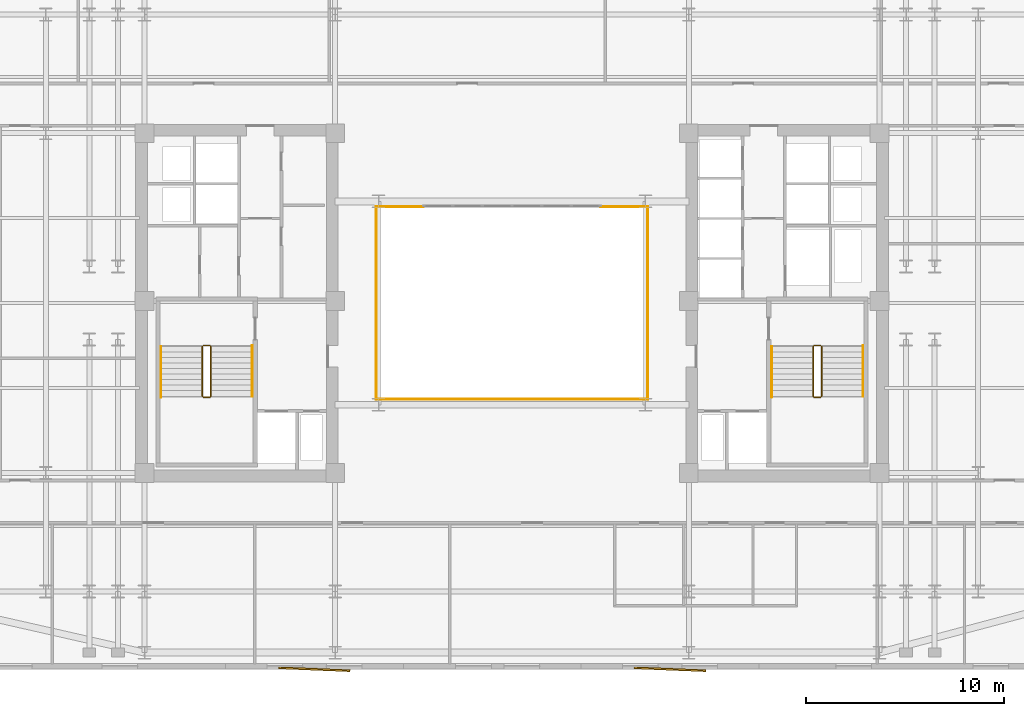
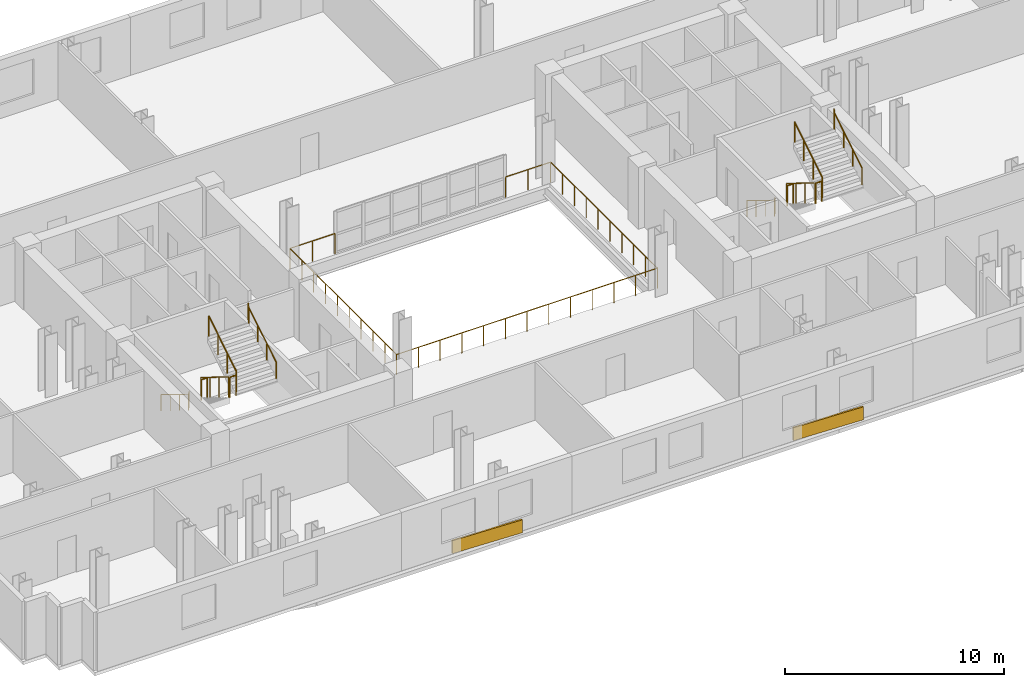
# One storey, part 11 of 12: 17 railings, 2 coverings.
"""IFC4 building model written with IfcOpenShell, lengths in metres."""

from ifc_helpers import new_model, si_unit, direction, frame, origin, origin_2d, place, context, subcontext, project, spatial, rectangle, circle, extrude, material, layer, layer_set, type_object, element, save


model = new_model("IFC4")

# Units and contexts
model_context = context("Model", 3, precision=1e-05, world=origin(), true_north=direction((0.0, 1.0)))
body_context = subcontext(model_context, "Body", "Model", "MODEL_VIEW")
ifc_project = project(units=[si_unit("LENGTHUNIT", "METRE"), si_unit("AREAUNIT", "SQUARE_METRE"), si_unit("VOLUMEUNIT", "CUBIC_METRE"), si_unit("PLANEANGLEUNIT", "RADIAN"), si_unit("MASSUNIT", "GRAM", prefix="KILO")], contexts=[model_context])

# Site, building, storey
site_placement = place(None, origin())
site = spatial("IfcSite", under=ifc_project, at=site_placement, CompositionType="ELEMENT")
building_placement = place(site_placement, origin())
building = spatial("IfcBuilding", under=site, at=building_placement, Name="Velakula Bourse", CompositionType="ELEMENT")
storey_placement = place(building_placement, frame((0.0, 0.0, 134.64990234375)))
storey = spatial("IfcBuildingStorey", under=building, at=storey_placement, Name="L36", CompositionType="ELEMENT", Elevation=134.64990234375)

# Coverings
ifc_material_1 = material(Name="Red kilned clay facing brick masonry", Category="masonry")
ifc_layer = layer(ifc_material_1, 0.090087890625, Name="Red kilned clay facing brick masonry", Category="masonry")
ifc_layer_set = layer_set([ifc_layer], Name="Red kilned clay facing brick masonry")
covering_type = type_object("IfcCoveringType", Name="COV-BRK-FOLD-90", PredefinedType="CLADDING", material=ifc_layer_set)
for number, where, z_axis, x_axis, name in (
    (1, (-10.0, -18.5400390625, 0.0), (0.0, 0.0, 1.0), (0.999158993058, -0.041003738744, 0.0), "L36 Folded Brick Facade Cladding Panel S-B2"),
    (2, (8.0, -18.5400390625, 0.0), (0.0, 0.0, 1.0), (0.999158993058, -0.041003738744, 0.0), "L36 Folded Brick Facade Cladding Panel S-B4"),
):
    element("IfcCovering", number, at=place(storey_placement, frame(where, z_axis=z_axis, x_axis=x_axis)), inside=storey, type_object=covering_type, Name=name, PredefinedType="CLADDING", context=body_context, shape_type="SweptSolid", body=[
        extrude(rectangle(XDim=3.60009765625, YDim=0.090087890625, at=origin_2d()), origin(), (0.0, 0.0, 1.0), 0.719970703125),
    ])

# Railings
ifc_material_2 = material(Name="Brushed grade 316 stainless steel", Category="steel")
railing_type_1 = type_object("IfcRailingType", Name="RLG-ATRIUM-1150", PredefinedType="BALUSTRADE", material=ifc_material_2)
railing_1_placement = place(storey_placement, frame((-6.8798828125, -4.8798828125, 0.0)))
element("IfcRailing", 3, at=railing_1_placement, inside=storey, type_object=railing_type_1, Name="L36 Central Trading Atrium Balustrade S", PredefinedType="BALUSTRADE", context=body_context, shape_type="SweptSolid", body=[
    extrude(circle(Radius=0.02392578125, at=origin_2d()), frame((0.0, 0.0, 1.1259765625), z_axis=(1.0, 0.0, 0.0), x_axis=(0.0, 1.0, 0.0)), (0.0, 0.0, 1.0), 13.759765625),
    extrude(circle(Radius=0.02099609375, at=origin_2d()), origin(), (0.0, 0.0, 1.0), 1.101806640625),
    extrude(circle(Radius=0.02099609375, at=origin_2d()), frame((1.146728515625, 0.0, 0.0)), (0.0, 0.0, 1.0), 1.101806640625),
    extrude(circle(Radius=0.02099609375, at=origin_2d()), frame((2.293212890625, 0.0, 0.0)), (0.0, 0.0, 1.0), 1.101806640625),
    extrude(circle(Radius=0.02099609375, at=origin_2d()), frame((3.43994140625, 0.0, 0.0)), (0.0, 0.0, 1.0), 1.101806640625),
    extrude(circle(Radius=0.02099609375, at=origin_2d()), frame((4.586669921875, 0.0, 0.0)), (0.0, 0.0, 1.0), 1.101806640625),
    extrude(circle(Radius=0.02099609375, at=origin_2d()), frame((5.733154296875, 0.0, 0.0)), (0.0, 0.0, 1.0), 1.101806640625),
    extrude(circle(Radius=0.02099609375, at=origin_2d()), frame((6.8798828125, 0.0, 0.0)), (0.0, 0.0, 1.0), 1.101806640625),
    extrude(circle(Radius=0.02099609375, at=origin_2d()), frame((8.026611328125, 0.0, 0.0)), (0.0, 0.0, 1.0), 1.101806640625),
    extrude(circle(Radius=0.02099609375, at=origin_2d()), frame((9.173095703125, 0.0, 0.0)), (0.0, 0.0, 1.0), 1.101806640625),
    extrude(circle(Radius=0.02099609375, at=origin_2d()), frame((10.31982421875, 0.0, 0.0)), (0.0, 0.0, 1.0), 1.101806640625),
    extrude(circle(Radius=0.02099609375, at=origin_2d()), frame((11.466552734375, 0.0, 0.0)), (0.0, 0.0, 1.0), 1.101806640625),
    extrude(circle(Radius=0.02099609375, at=origin_2d()), frame((12.613037109375, 0.0, 0.0)), (0.0, 0.0, 1.0), 1.101806640625),
    extrude(circle(Radius=0.02099609375, at=origin_2d()), frame((13.759765625, 0.0, 0.0)), (0.0, 0.0, 1.0), 1.101806640625),
])
railing_2_placement = place(storey_placement, frame((-6.8798828125, 4.8798828125, 0.0)))
element("IfcRailing", 4, at=railing_2_placement, inside=storey, type_object=railing_type_1, Name="L36 Central Trading Atrium Balustrade W", PredefinedType="BALUSTRADE", context=body_context, shape_type="SweptSolid", body=[
    extrude(circle(Radius=0.02392578125, at=origin_2d()), frame((0.0, 0.0, 1.1259765625), z_axis=(0.0, -1.0, 0.0), x_axis=(1.0, 0.0, 0.0)), (0.0, 0.0, 1.0), 9.759765625),
    extrude(circle(Radius=0.02099609375, at=origin_2d()), origin(), (0.0, 0.0, 1.0), 1.101806640625),
    extrude(circle(Radius=0.02099609375, at=origin_2d()), frame((0.0, -1.08447265625, 0.0)), (0.0, 0.0, 1.0), 1.101806640625),
    extrude(circle(Radius=0.02099609375, at=origin_2d()), frame((0.0, -2.1689453125, 0.0)), (0.0, 0.0, 1.0), 1.101806640625),
    extrude(circle(Radius=0.02099609375, at=origin_2d()), frame((0.0, -3.253173828125, 0.0)), (0.0, 0.0, 1.0), 1.101806640625),
    extrude(circle(Radius=0.02099609375, at=origin_2d()), frame((0.0, -4.337646484375, 0.0)), (0.0, 0.0, 1.0), 1.101806640625),
    extrude(circle(Radius=0.02099609375, at=origin_2d()), frame((0.0, -5.422119140625, 0.0)), (0.0, 0.0, 1.0), 1.101806640625),
    extrude(circle(Radius=0.02099609375, at=origin_2d()), frame((0.0, -6.506591796875, 0.0)), (0.0, 0.0, 1.0), 1.101806640625),
    extrude(circle(Radius=0.02099609375, at=origin_2d()), frame((0.0, -7.5908203125, 0.0)), (0.0, 0.0, 1.0), 1.101806640625),
    extrude(circle(Radius=0.02099609375, at=origin_2d()), frame((0.0, -8.67529296875, 0.0)), (0.0, 0.0, 1.0), 1.101806640625),
    extrude(circle(Radius=0.02099609375, at=origin_2d()), frame((0.0, -9.759765625, 0.0)), (0.0, 0.0, 1.0), 1.101806640625),
])
railing_3_placement = place(storey_placement, frame((6.8798828125, -4.8798828125, 0.0)))
element("IfcRailing", 5, at=railing_3_placement, inside=storey, type_object=railing_type_1, Name="L36 Central Trading Atrium Balustrade E", PredefinedType="BALUSTRADE", context=body_context, shape_type="SweptSolid", body=[
    extrude(circle(Radius=0.02392578125, at=origin_2d()), frame((0.0, 0.0, 1.1259765625), z_axis=(0.0, 1.0, 0.0), x_axis=(-1.0, 0.0, 0.0)), (0.0, 0.0, 1.0), 9.759765625),
    extrude(circle(Radius=0.02099609375, at=origin_2d()), origin(), (0.0, 0.0, 1.0), 1.101806640625),
    extrude(circle(Radius=0.02099609375, at=origin_2d()), frame((0.0, 1.08447265625, 0.0)), (0.0, 0.0, 1.0), 1.101806640625),
    extrude(circle(Radius=0.02099609375, at=origin_2d()), frame((0.0, 2.1689453125, 0.0)), (0.0, 0.0, 1.0), 1.101806640625),
    extrude(circle(Radius=0.02099609375, at=origin_2d()), frame((0.0, 3.253173828125, 0.0)), (0.0, 0.0, 1.0), 1.101806640625),
    extrude(circle(Radius=0.02099609375, at=origin_2d()), frame((0.0, 4.337646484375, 0.0)), (0.0, 0.0, 1.0), 1.101806640625),
    extrude(circle(Radius=0.02099609375, at=origin_2d()), frame((0.0, 5.422119140625, 0.0)), (0.0, 0.0, 1.0), 1.101806640625),
    extrude(circle(Radius=0.02099609375, at=origin_2d()), frame((0.0, 6.506591796875, 0.0)), (0.0, 0.0, 1.0), 1.101806640625),
    extrude(circle(Radius=0.02099609375, at=origin_2d()), frame((0.0, 7.5908203125, 0.0)), (0.0, 0.0, 1.0), 1.101806640625),
    extrude(circle(Radius=0.02099609375, at=origin_2d()), frame((0.0, 8.67529296875, 0.0)), (0.0, 0.0, 1.0), 1.101806640625),
    extrude(circle(Radius=0.02099609375, at=origin_2d()), frame((0.0, 9.759765625, 0.0)), (0.0, 0.0, 1.0), 1.101806640625),
])
for number, where, name in (
    (6, (-4.5, 4.8798828125, 0.0), "L36 Central Trading Atrium Balustrade NW"),
    (7, (6.8798828125, 4.8798828125, 0.0), "L36 Central Trading Atrium Balustrade NE"),
):
    element("IfcRailing", number, at=place(storey_placement, frame(where)), inside=storey, type_object=railing_type_1, Name=name, PredefinedType="BALUSTRADE", context=body_context, shape_type="SweptSolid", body=[
        extrude(circle(Radius=0.02392578125, at=origin_2d()), frame((0.0, 0.0, 1.1259765625), z_axis=(-1.0, 0.0, 0.0), x_axis=(0.0, -1.0, 0.0)), (0.0, 0.0, 1.0), 2.3798828125),
        extrude(circle(Radius=0.02099609375, at=origin_2d()), origin(), (0.0, 0.0, 1.0), 1.101806640625),
        extrude(circle(Radius=0.02099609375, at=origin_2d()), frame((-1.18994140625, 0.0, 0.0)), (0.0, 0.0, 1.0), 1.101806640625),
        extrude(circle(Radius=0.02099609375, at=origin_2d()), frame((-2.3798828125, 0.0, 0.0)), (0.0, 0.0, 1.0), 1.101806640625),
    ])
railing_type_2 = type_object("IfcRailingType", Name="RLG-STAIR-GUARD-1150", PredefinedType="BALUSTRADE", material=ifc_material_2)
railing_4_placement = place(storey_placement, frame((-15.672119140625, -2.199951171875, 0.172607421875)))
element("IfcRailing", 8, at=railing_4_placement, inside=storey, type_object=railing_type_2, Name="L36 ST-W1 stair guard 1", PredefinedType="BALUSTRADE", context=body_context, shape_type="SweptSolid", body=[
    extrude(circle(Radius=0.02490234375, at=origin_2d()), frame((0.0, 0.0, 1.125), z_axis=(0.0, -0.851400495292, 0.524516154772), x_axis=(1.0, 0.0, 0.0)), (0.0, 0.0, 1.0), 2.9599609375),
    extrude(circle(Radius=0.02099609375, at=origin_2d()), origin(), (0.0, 0.0, 1.0), 1.099853515625),
    extrude(circle(Radius=0.02099609375, at=origin_2d()), frame((0.0, -0.840087890625, 0.517578125)), (0.0, 0.0, 1.0), 1.099853515625),
    extrude(circle(Radius=0.02099609375, at=origin_2d()), frame((0.0, -1.679931640625, 1.034912109375)), (0.0, 0.0, 1.0), 1.099853515625),
    extrude(circle(Radius=0.02099609375, at=origin_2d()), frame((0.0, -2.52001953125, 1.552490234375)), (0.0, 0.0, 1.0), 1.099853515625),
])
railing_5_placement = place(storey_placement, frame((-15.6220703125, -4.77001953125, 1.72509765625)))
element("IfcRailing", 9, at=railing_5_placement, inside=storey, type_object=railing_type_2, Name="L36 ST-W1 stair guard 2", PredefinedType="BALUSTRADE", context=body_context, shape_type="SweptSolid", body=[
    extrude(circle(Radius=0.02490234375, at=origin_2d()), frame((0.0, 0.0, 1.125), z_axis=(1.0, 0.0, 0.0), x_axis=(0.0, 1.0, 0.0)), (0.0, 0.0, 1.0), 0.323974609375),
    extrude(circle(Radius=0.02099609375, at=origin_2d()), origin(), (0.0, 0.0, 1.0), 1.099853515625),
    extrude(circle(Radius=0.02099609375, at=origin_2d()), frame((0.323974609375, 0.0, 0.0)), (0.0, 0.0, 1.0), 1.099853515625),
])
railing_6_placement = place(storey_placement, frame((-15.248046875, -4.719970703125, 1.897705078125)))
element("IfcRailing", 10, at=railing_6_placement, inside=storey, type_object=railing_type_2, Name="L36 ST-W1 stair guard 3", PredefinedType="BALUSTRADE", context=body_context, shape_type="SweptSolid", body=[
    extrude(circle(Radius=0.02490234375, at=origin_2d()), frame((0.0, 0.0, 1.125), z_axis=(0.0, 0.851400495292, 0.524516154772), x_axis=(-1.0, 0.0, 0.0)), (0.0, 0.0, 1.0), 2.9599609375),
    extrude(circle(Radius=0.02099609375, at=origin_2d()), origin(), (0.0, 0.0, 1.0), 1.099853515625),
    extrude(circle(Radius=0.02099609375, at=origin_2d()), frame((0.0, 0.840087890625, 0.517578125)), (0.0, 0.0, 1.0), 1.099853515625),
    extrude(circle(Radius=0.02099609375, at=origin_2d()), frame((0.0, 1.679931640625, 1.034912109375)), (0.0, 0.0, 1.0), 1.099853515625),
    extrude(circle(Radius=0.02099609375, at=origin_2d()), frame((0.0, 2.52001953125, 1.552490234375)), (0.0, 0.0, 1.0), 1.099853515625),
])
railing_7_placement = place(storey_placement, frame((-15.6220703125, -2.14990234375, 0.0)))
element("IfcRailing", 11, at=railing_7_placement, inside=storey, type_object=railing_type_2, Name="L36 ST-W1 stair guard 4", PredefinedType="BALUSTRADE", context=body_context, shape_type="SweptSolid", body=[
    extrude(circle(Radius=0.02490234375, at=origin_2d()), frame((0.0, 0.0, 1.125), z_axis=(1.0, 0.0, 0.0), x_axis=(0.0, 1.0, 0.0)), (0.0, 0.0, 1.0), 0.323974609375),
    extrude(circle(Radius=0.02099609375, at=origin_2d()), origin(), (0.0, 0.0, 1.0), 1.099853515625),
    extrude(circle(Radius=0.02099609375, at=origin_2d()), frame((0.323974609375, 0.0, 0.0)), (0.0, 0.0, 1.0), 1.099853515625),
])
railing_8_placement = place(storey_placement, frame((15.248046875, -2.199951171875, 0.172607421875)))
element("IfcRailing", 12, at=railing_8_placement, inside=storey, type_object=railing_type_2, Name="L36 ST-E1 stair guard 1", PredefinedType="BALUSTRADE", context=body_context, shape_type="SweptSolid", body=[
    extrude(circle(Radius=0.02490234375, at=origin_2d()), frame((0.0, 0.0, 1.125), z_axis=(0.0, -0.851400495292, 0.524516154772), x_axis=(1.0, 0.0, 0.0)), (0.0, 0.0, 1.0), 2.9599609375),
    extrude(circle(Radius=0.02099609375, at=origin_2d()), origin(), (0.0, 0.0, 1.0), 1.099853515625),
    extrude(circle(Radius=0.02099609375, at=origin_2d()), frame((0.0, -0.840087890625, 0.517578125)), (0.0, 0.0, 1.0), 1.099853515625),
    extrude(circle(Radius=0.02099609375, at=origin_2d()), frame((0.0, -1.679931640625, 1.034912109375)), (0.0, 0.0, 1.0), 1.099853515625),
    extrude(circle(Radius=0.02099609375, at=origin_2d()), frame((0.0, -2.52001953125, 1.552490234375)), (0.0, 0.0, 1.0), 1.099853515625),
])
railing_9_placement = place(storey_placement, frame((15.298095703125, -4.77001953125, 1.72509765625)))
element("IfcRailing", 13, at=railing_9_placement, inside=storey, type_object=railing_type_2, Name="L36 ST-E1 stair guard 2", PredefinedType="BALUSTRADE", context=body_context, shape_type="SweptSolid", body=[
    extrude(circle(Radius=0.02490234375, at=origin_2d()), frame((0.0, 0.0, 1.125), z_axis=(1.0, 0.0, 0.0), x_axis=(0.0, 1.0, 0.0)), (0.0, 0.0, 1.0), 0.323974609375),
    extrude(circle(Radius=0.02099609375, at=origin_2d()), origin(), (0.0, 0.0, 1.0), 1.099853515625),
    extrude(circle(Radius=0.02099609375, at=origin_2d()), frame((0.323974609375, 0.0, 0.0)), (0.0, 0.0, 1.0), 1.099853515625),
])
railing_10_placement = place(storey_placement, frame((15.672119140625, -4.719970703125, 1.897705078125)))
element("IfcRailing", 14, at=railing_10_placement, inside=storey, type_object=railing_type_2, Name="L36 ST-E1 stair guard 3", PredefinedType="BALUSTRADE", context=body_context, shape_type="SweptSolid", body=[
    extrude(circle(Radius=0.02490234375, at=origin_2d()), frame((0.0, 0.0, 1.125), z_axis=(0.0, 0.851400495292, 0.524516154772), x_axis=(-1.0, 0.0, 0.0)), (0.0, 0.0, 1.0), 2.9599609375),
    extrude(circle(Radius=0.02099609375, at=origin_2d()), origin(), (0.0, 0.0, 1.0), 1.099853515625),
    extrude(circle(Radius=0.02099609375, at=origin_2d()), frame((0.0, 0.840087890625, 0.517578125)), (0.0, 0.0, 1.0), 1.099853515625),
    extrude(circle(Radius=0.02099609375, at=origin_2d()), frame((0.0, 1.679931640625, 1.034912109375)), (0.0, 0.0, 1.0), 1.099853515625),
    extrude(circle(Radius=0.02099609375, at=origin_2d()), frame((0.0, 2.52001953125, 1.552490234375)), (0.0, 0.0, 1.0), 1.099853515625),
])
railing_11_placement = place(storey_placement, frame((15.298095703125, -2.14990234375, 0.0)))
element("IfcRailing", 15, at=railing_11_placement, inside=storey, type_object=railing_type_2, Name="L36 ST-E1 stair guard 4", PredefinedType="BALUSTRADE", context=body_context, shape_type="SweptSolid", body=[
    extrude(circle(Radius=0.02490234375, at=origin_2d()), frame((0.0, 0.0, 1.125), z_axis=(1.0, 0.0, 0.0), x_axis=(0.0, 1.0, 0.0)), (0.0, 0.0, 1.0), 0.323974609375),
    extrude(circle(Radius=0.02099609375, at=origin_2d()), origin(), (0.0, 0.0, 1.0), 1.099853515625),
    extrude(circle(Radius=0.02099609375, at=origin_2d()), frame((0.323974609375, 0.0, 0.0)), (0.0, 0.0, 1.0), 1.099853515625),
])
railing_type_3 = type_object("IfcRailingType", Name="RLG-STAIR-HAND-920", PredefinedType="HANDRAIL", material=ifc_material_2)
railing_12_placement = place(storey_placement, frame((-17.77001953125, -2.199951171875, 0.172607421875)))
element("IfcRailing", 16, at=railing_12_placement, inside=storey, type_object=railing_type_3, Name="L36 ST-W1 stair handrail 1", PredefinedType="HANDRAIL", context=body_context, shape_type="SweptSolid", body=[
    extrude(circle(Radius=0.02099609375, at=origin_2d()), frame((0.0, 0.0, 0.89892578125), z_axis=(0.0, -0.851400495292, 0.524516154772), x_axis=(1.0, 0.0, 0.0)), (0.0, 0.0, 1.0), 2.9599609375),
    extrude(circle(Radius=0.02099609375, at=origin_2d()), frame((0.0, -2.52001953125, 2.451416015625), z_axis=(0.0, -0.22596628056, 0.974135124123), x_axis=(1.0, 0.0, 0.0)), (0.0, 0.0, 1.0), 0.17724609375),
    extrude(circle(Radius=0.02099609375, at=origin_2d()), frame((0.0, -2.56005859375, 2.6240234375), z_axis=(0.0, -1.0, 0.0), x_axis=(1.0, 0.0, 0.0)), (0.0, 0.0, 1.0), 0.0048828125),
    extrude(circle(Radius=0.02099609375, at=origin_2d()), origin(), (0.0, 0.0, 1.0), 0.8779296875),
    extrude(circle(Radius=0.02099609375, at=origin_2d()), frame((0.0, -0.840087890625, 0.517578125)), (0.0, 0.0, 1.0), 0.8779296875),
    extrude(circle(Radius=0.02099609375, at=origin_2d()), frame((0.0, -1.679931640625, 1.034912109375)), (0.0, 0.0, 1.0), 0.8779296875),
    extrude(circle(Radius=0.02099609375, at=origin_2d()), frame((0.0, -2.52001953125, 1.552490234375)), (0.0, 0.0, 1.0), 0.8779296875),
    extrude(circle(Radius=0.02099609375, at=origin_2d()), frame((0.0, -2.56005859375, 1.72509765625)), (0.0, 0.0, 1.0), 0.8779296875),
    extrude(circle(Radius=0.02099609375, at=origin_2d()), frame((0.0, -2.56494140625, 1.72509765625)), (0.0, 0.0, 1.0), 0.8779296875),
])
railing_13_placement = place(storey_placement, frame((-13.14990234375, -4.719970703125, 1.897705078125)))
element("IfcRailing", 17, at=railing_13_placement, inside=storey, type_object=railing_type_3, Name="L36 ST-W1 stair handrail 2", PredefinedType="HANDRAIL", context=body_context, shape_type="SweptSolid", body=[
    extrude(circle(Radius=0.02099609375, at=origin_2d()), frame((0.0, 0.0, 0.89892578125), z_axis=(0.0, 0.851400495292, 0.524516154772), x_axis=(-1.0, 0.0, 0.0)), (0.0, 0.0, 1.0), 2.9599609375),
    extrude(circle(Radius=0.02099609375, at=origin_2d()), frame((0.0, 2.52001953125, 2.451416015625), z_axis=(0.0, 0.226269970362, 0.974064628509), x_axis=(-1.0, 0.0, 0.0)), (0.0, 0.0, 1.0), 0.177001953125),
    extrude(circle(Radius=0.02099609375, at=origin_2d()), frame((0.0, 2.56005859375, 2.623779296875), z_axis=(0.0, 1.0, 0.0), x_axis=(-1.0, 0.0, 0.0)), (0.0, 0.0, 1.0), 0.0048828125),
    extrude(circle(Radius=0.02099609375, at=origin_2d()), origin(), (0.0, 0.0, 1.0), 0.8779296875),
    extrude(circle(Radius=0.02099609375, at=origin_2d()), frame((0.0, 0.840087890625, 0.517578125)), (0.0, 0.0, 1.0), 0.8779296875),
    extrude(circle(Radius=0.02099609375, at=origin_2d()), frame((0.0, 1.679931640625, 1.034912109375)), (0.0, 0.0, 1.0), 0.8779296875),
    extrude(circle(Radius=0.02099609375, at=origin_2d()), frame((0.0, 2.52001953125, 1.552490234375)), (0.0, 0.0, 1.0), 0.8779296875),
    extrude(circle(Radius=0.02099609375, at=origin_2d()), frame((0.0, 2.56005859375, 1.724853515625)), (0.0, 0.0, 1.0), 0.8779296875),
    extrude(circle(Radius=0.02099609375, at=origin_2d()), frame((0.0, 2.56494140625, 1.724853515625)), (0.0, 0.0, 1.0), 0.8779296875),
])
railing_14_placement = place(storey_placement, frame((13.14990234375, -2.199951171875, 0.172607421875)))
element("IfcRailing", 18, at=railing_14_placement, inside=storey, type_object=railing_type_3, Name="L36 ST-E1 stair handrail 1", PredefinedType="HANDRAIL", context=body_context, shape_type="SweptSolid", body=[
    extrude(circle(Radius=0.02099609375, at=origin_2d()), frame((0.0, 0.0, 0.89892578125), z_axis=(0.0, -0.851400495292, 0.524516154772), x_axis=(1.0, 0.0, 0.0)), (0.0, 0.0, 1.0), 2.9599609375),
    extrude(circle(Radius=0.02099609375, at=origin_2d()), frame((0.0, -2.52001953125, 2.451416015625), z_axis=(0.0, -0.22596628056, 0.974135124123), x_axis=(1.0, 0.0, 0.0)), (0.0, 0.0, 1.0), 0.17724609375),
    extrude(circle(Radius=0.02099609375, at=origin_2d()), frame((0.0, -2.56005859375, 2.6240234375), z_axis=(0.0, -1.0, 0.0), x_axis=(1.0, 0.0, 0.0)), (0.0, 0.0, 1.0), 0.0048828125),
    extrude(circle(Radius=0.02099609375, at=origin_2d()), origin(), (0.0, 0.0, 1.0), 0.8779296875),
    extrude(circle(Radius=0.02099609375, at=origin_2d()), frame((0.0, -0.840087890625, 0.517578125)), (0.0, 0.0, 1.0), 0.8779296875),
    extrude(circle(Radius=0.02099609375, at=origin_2d()), frame((0.0, -1.679931640625, 1.034912109375)), (0.0, 0.0, 1.0), 0.8779296875),
    extrude(circle(Radius=0.02099609375, at=origin_2d()), frame((0.0, -2.52001953125, 1.552490234375)), (0.0, 0.0, 1.0), 0.8779296875),
    extrude(circle(Radius=0.02099609375, at=origin_2d()), frame((0.0, -2.56005859375, 1.72509765625)), (0.0, 0.0, 1.0), 0.8779296875),
    extrude(circle(Radius=0.02099609375, at=origin_2d()), frame((0.0, -2.56494140625, 1.72509765625)), (0.0, 0.0, 1.0), 0.8779296875),
])
railing_15_placement = place(storey_placement, frame((17.77001953125, -4.719970703125, 1.897705078125)))
element("IfcRailing", 19, at=railing_15_placement, inside=storey, type_object=railing_type_3, Name="L36 ST-E1 stair handrail 2", PredefinedType="HANDRAIL", context=body_context, shape_type="SweptSolid", body=[
    extrude(circle(Radius=0.02099609375, at=origin_2d()), frame((0.0, 0.0, 0.89892578125), z_axis=(0.0, 0.851400495292, 0.524516154772), x_axis=(-1.0, 0.0, 0.0)), (0.0, 0.0, 1.0), 2.9599609375),
    extrude(circle(Radius=0.02099609375, at=origin_2d()), frame((0.0, 2.52001953125, 2.451416015625), z_axis=(0.0, 0.226269970362, 0.974064628509), x_axis=(-1.0, 0.0, 0.0)), (0.0, 0.0, 1.0), 0.177001953125),
    extrude(circle(Radius=0.02099609375, at=origin_2d()), frame((0.0, 2.56005859375, 2.623779296875), z_axis=(0.0, 1.0, 0.0), x_axis=(-1.0, 0.0, 0.0)), (0.0, 0.0, 1.0), 0.0048828125),
    extrude(circle(Radius=0.02099609375, at=origin_2d()), origin(), (0.0, 0.0, 1.0), 0.8779296875),
    extrude(circle(Radius=0.02099609375, at=origin_2d()), frame((0.0, 0.840087890625, 0.517578125)), (0.0, 0.0, 1.0), 0.8779296875),
    extrude(circle(Radius=0.02099609375, at=origin_2d()), frame((0.0, 1.679931640625, 1.034912109375)), (0.0, 0.0, 1.0), 0.8779296875),
    extrude(circle(Radius=0.02099609375, at=origin_2d()), frame((0.0, 2.52001953125, 1.552490234375)), (0.0, 0.0, 1.0), 0.8779296875),
    extrude(circle(Radius=0.02099609375, at=origin_2d()), frame((0.0, 2.56005859375, 1.724853515625)), (0.0, 0.0, 1.0), 0.8779296875),
    extrude(circle(Radius=0.02099609375, at=origin_2d()), frame((0.0, 2.56494140625, 1.724853515625)), (0.0, 0.0, 1.0), 0.8779296875),
])

save(model, "model.ifc")
